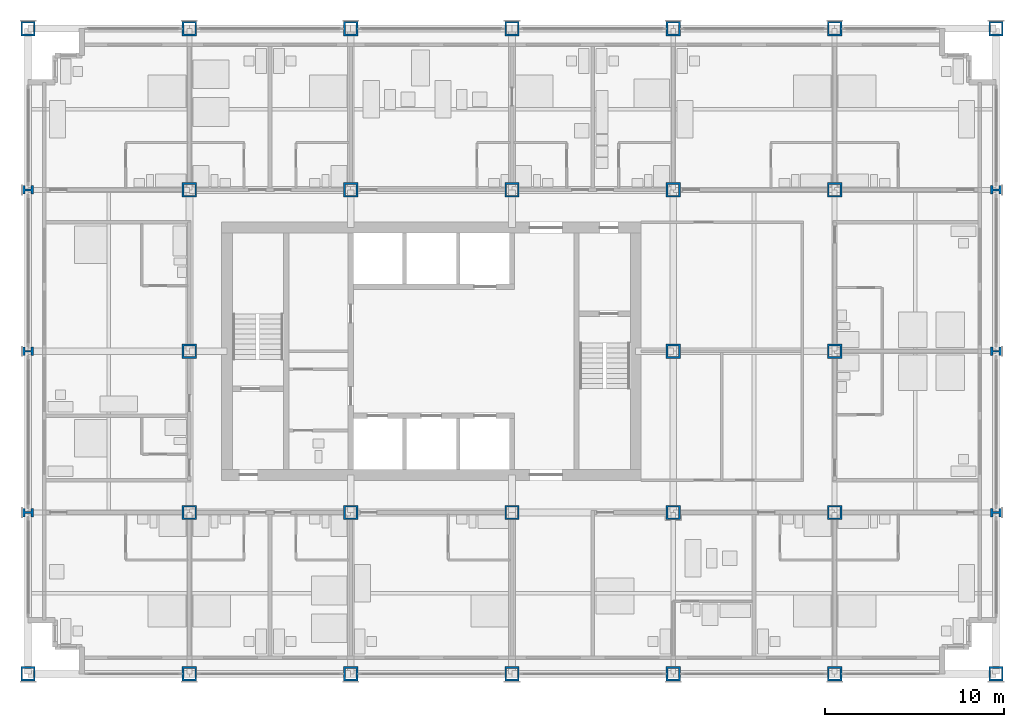
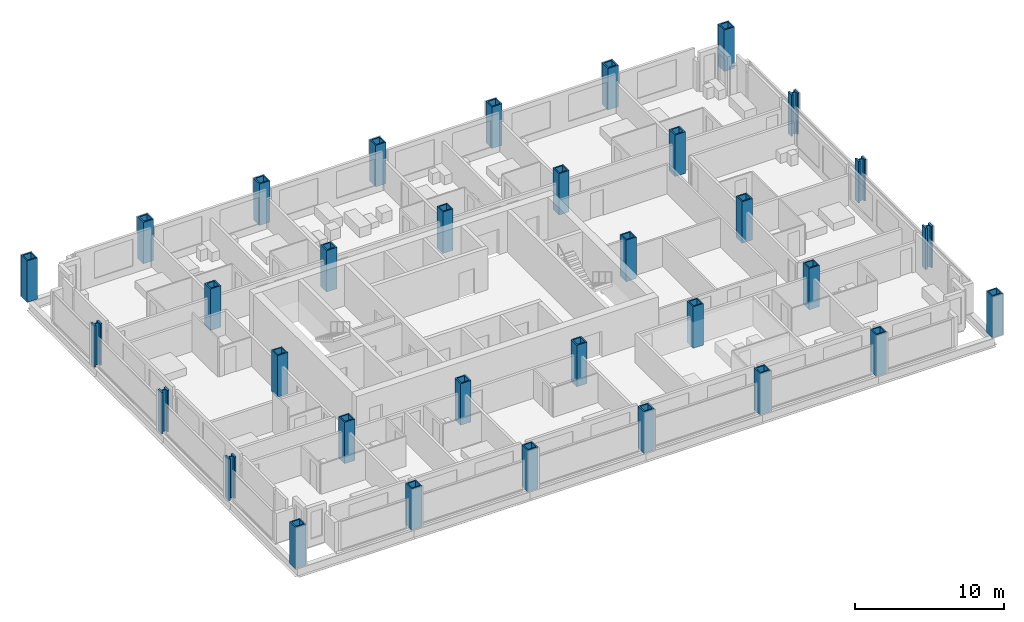
# One storey, part 1 of 18: 33 columns.
"""IFC4 building model written with IfcOpenShell, lengths in metres."""

from ifc_helpers import new_model, si_unit, direction, frame, origin, origin_2d, place, context, subcontext, project, spatial, hollow_rectangle, i_section, extrude, material, material_profile, profile_set, type_object, element, save


model = new_model("IFC4")

# Units and contexts
model_context = context("Model", 3, precision=1e-05, world=origin(), true_north=direction((0.0, 1.0)))
body_context = subcontext(model_context, "Body", "Model", "MODEL_VIEW")
ifc_project = project(units=[si_unit("LENGTHUNIT", "METRE"), si_unit("AREAUNIT", "SQUARE_METRE"), si_unit("VOLUMEUNIT", "CUBIC_METRE"), si_unit("PLANEANGLEUNIT", "RADIAN"), si_unit("MASSUNIT", "GRAM", prefix="KILO")], contexts=[model_context])

# Site, building, storey
site_placement = place(None, origin())
site = spatial("IfcSite", under=ifc_project, at=site_placement, CompositionType="ELEMENT")
building_placement = place(site_placement, origin())
building = spatial("IfcBuilding", under=site, at=building_placement, Name="Loomwork Tower", CompositionType="ELEMENT")
storey_placement = place(building_placement, frame((0.0, 0.0, 38.199951171875)))
storey = spatial("IfcBuildingStorey", under=building, at=storey_placement, Name="L08", CompositionType="ELEMENT", Elevation=38.199951171875)

# Columns
ifc_material_1 = material(Name="Steel ASTM A572 Grade 50 plate", Category="steel")
ifc_material_profile_1 = material_profile(ifc_material_1, hollow_rectangle(XDim=0.800048828125, YDim=0.800048828125, WallThickness=0.10009765625, at=origin_2d()), Name="BOX800x100")
ifc_profile_set_1 = profile_set([ifc_material_profile_1], Name="Steel ASTM A572 Grade 50 plate")
column_type_1 = type_object("IfcColumnType", Name="EXOSKELETON PIER BOX800x100", PredefinedType="COLUMN", material=ifc_profile_set_1)
for number, where, z_axis, x_axis, name in (
    (1, (0.0, 0.0, 0.0), (0.0, 0.0, 1.0), (1.0, 0.0, 0.0), "Exoskeleton Pier D/2 L08"),
    (2, (0.0, 36.0, 0.0), (0.0, 0.0, 1.0), (1.0, 0.0, 0.0), "Exoskeleton Pier H/2 L08"),
    (3, (9.0, 0.0, 0.0), (0.0, 0.0, 1.0), (1.0, 0.0, 0.0), "Exoskeleton Pier D/3 L08"),
    (4, (9.0, 36.0, 0.0), (0.0, 0.0, 1.0), (1.0, 0.0, 0.0), "Exoskeleton Pier H/3 L08"),
    (5, (18.0, 0.0, 0.0), (0.0, 0.0, 1.0), (1.0, 0.0, 0.0), "Exoskeleton Pier D/4 L08"),
    (6, (18.0, 36.0, 0.0), (0.0, 0.0, 1.0), (1.0, 0.0, 0.0), "Exoskeleton Pier H/4 L08"),
    (7, (27.0, 0.0, 0.0), (0.0, 0.0, 1.0), (1.0, 0.0, 0.0), "Exoskeleton Pier D/5 L08"),
    (8, (27.0, 36.0, 0.0), (0.0, 0.0, 1.0), (1.0, 0.0, 0.0), "Exoskeleton Pier H/5 L08"),
    (9, (36.0, 0.0, 0.0), (0.0, 0.0, 1.0), (1.0, 0.0, 0.0), "Exoskeleton Pier D/6 L08"),
    (10, (36.0, 36.0, 0.0), (0.0, 0.0, 1.0), (1.0, 0.0, 0.0), "Exoskeleton Pier H/6 L08"),
    (11, (45.0, 0.0, 0.0), (0.0, 0.0, 1.0), (1.0, 0.0, 0.0), "Exoskeleton Pier D/7 L08"),
    (12, (45.0, 36.0, 0.0), (0.0, 0.0, 1.0), (1.0, 0.0, 0.0), "Exoskeleton Pier H/7 L08"),
    (13, (54.0, 0.0, 0.0), (0.0, 0.0, 1.0), (1.0, 0.0, 0.0), "Exoskeleton Pier D/8 L08"),
    (14, (54.0, 36.0, 0.0), (0.0, 0.0, 1.0), (1.0, 0.0, 0.0), "Exoskeleton Pier H/8 L08"),
):
    element("IfcColumn", number, at=place(storey_placement, frame(where, z_axis=z_axis, x_axis=x_axis)), inside=storey, type_object=column_type_1, Name=name, PredefinedType="COLUMN", context=body_context, shape_type="SweptSolid", body=[
        extrude(hollow_rectangle(XDim=0.800048828125, YDim=0.800048828125, WallThickness=0.10009765625, at=origin_2d()), origin(), (0.0, 0.0, 1.0), 3.400146484375),
    ])
ifc_material_2 = material(Name="Steel ASTM A992", Category="steel")
ifc_material_profile_2 = material_profile(ifc_material_2, i_section(OverallWidth=0.4775390625, OverallDepth=0.599365234375, WebThickness=0.10009765625, FlangeThickness=0.139892578125, at=origin_2d()), Name="W14x873")
ifc_profile_set_2 = profile_set([ifc_material_profile_2], Name="Steel ASTM A992")
column_type_2 = type_object("IfcColumnType", Name="EXOSKELETON PIER W14x873", PredefinedType="COLUMN", material=ifc_profile_set_2)
for number, where, z_axis, x_axis, name in (
    (15, (0.0, 9.0, 0.0), (0.0, 0.0, 1.0), (0.0, 1.0, 0.0), "Exoskeleton Pier E/2 L08"),
    (16, (0.0, 18.0, 0.0), (0.0, 0.0, 1.0), (0.0, 1.0, 0.0), "Exoskeleton Pier F/2 L08"),
    (17, (0.0, 27.0, 0.0), (0.0, 0.0, 1.0), (0.0, 1.0, 0.0), "Exoskeleton Pier G/2 L08"),
    (18, (54.0, 9.0, 0.0), (0.0, 0.0, 1.0), (0.0, 1.0, 0.0), "Exoskeleton Pier E/8 L08"),
    (19, (54.0, 18.0, 0.0), (0.0, 0.0, 1.0), (0.0, 1.0, 0.0), "Exoskeleton Pier F/8 L08"),
    (20, (54.0, 27.0, 0.0), (0.0, 0.0, 1.0), (0.0, 1.0, 0.0), "Exoskeleton Pier G/8 L08"),
):
    element("IfcColumn", number, at=place(storey_placement, frame(where, z_axis=z_axis, x_axis=x_axis)), inside=storey, type_object=column_type_2, Name=name, PredefinedType="COLUMN", context=body_context, shape_type="SweptSolid", body=[
        extrude(i_section(OverallWidth=0.4775390625, OverallDepth=0.599365234375, WebThickness=0.10009765625, FlangeThickness=0.139892578125, at=origin_2d()), origin(), (0.0, 0.0, 1.0), 3.400146484375),
    ])
ifc_material_3 = material(Name="Steel ASTM A572 Grade 50 plate", Category="steel")
ifc_material_profile_3 = material_profile(ifc_material_3, hollow_rectangle(XDim=0.800048828125, YDim=0.800048828125, WallThickness=0.10009765625, at=origin_2d()), Name="BOX800x100")
ifc_profile_set_3 = profile_set([ifc_material_profile_3], Name="Steel ASTM A572 Grade 50 plate")
column_type_3 = type_object("IfcColumnType", Name="TOWER COLUMN BOX800x100", PredefinedType="COLUMN", material=ifc_profile_set_3)
for number, where, z_axis, x_axis, name in (
    (21, (9.0, 9.0, 0.0), (0.0, 0.0, 1.0), (1.0, 0.0, 0.0), "Tower Column E/3 L08"),
    (22, (9.0, 18.0, 0.0), (0.0, 0.0, 1.0), (1.0, 0.0, 0.0), "Tower Column F/3 L08"),
    (23, (9.0, 27.0, 0.0), (0.0, 0.0, 1.0), (1.0, 0.0, 0.0), "Tower Column G/3 L08"),
    (24, (18.0, 9.0, 0.0), (0.0, 0.0, 1.0), (1.0, 0.0, 0.0), "Tower Column E/4 L08"),
    (25, (18.0, 27.0, 0.0), (0.0, 0.0, 1.0), (1.0, 0.0, 0.0), "Tower Column G/4 L08"),
    (26, (27.0, 9.0, 0.0), (0.0, 0.0, 1.0), (1.0, 0.0, 0.0), "Tower Column E/5 L08"),
    (27, (27.0, 27.0, 0.0), (0.0, 0.0, 1.0), (1.0, 0.0, 0.0), "Tower Column G/5 L08"),
    (28, (36.0, 9.0, 0.0), (0.0, 0.0, 1.0), (0.0, 1.0, 0.0), "Tower Column E/6 L08"),
    (29, (36.0, 18.0, 0.0), (0.0, 0.0, 1.0), (0.0, 1.0, 0.0), "Tower Column F/6 L08"),
    (30, (36.0, 27.0, 0.0), (0.0, 0.0, 1.0), (1.0, 0.0, 0.0), "Tower Column G/6 L08"),
    (31, (45.0, 9.0, 0.0), (0.0, 0.0, 1.0), (0.0, 1.0, 0.0), "Tower Column E/7 L08"),
    (32, (45.0, 18.0, 0.0), (0.0, 0.0, 1.0), (0.0, 1.0, 0.0), "Tower Column F/7 L08"),
    (33, (45.0, 27.0, 0.0), (0.0, 0.0, 1.0), (0.0, 1.0, 0.0), "Tower Column G/7 L08"),
):
    element("IfcColumn", number, at=place(storey_placement, frame(where, z_axis=z_axis, x_axis=x_axis)), inside=storey, type_object=column_type_3, Name=name, PredefinedType="COLUMN", context=body_context, shape_type="SweptSolid", body=[
        extrude(hollow_rectangle(XDim=0.800048828125, YDim=0.800048828125, WallThickness=0.10009765625, at=origin_2d()), origin(), (0.0, 0.0, 1.0), 3.400146484375),
    ])

save(model, "model.ifc")
